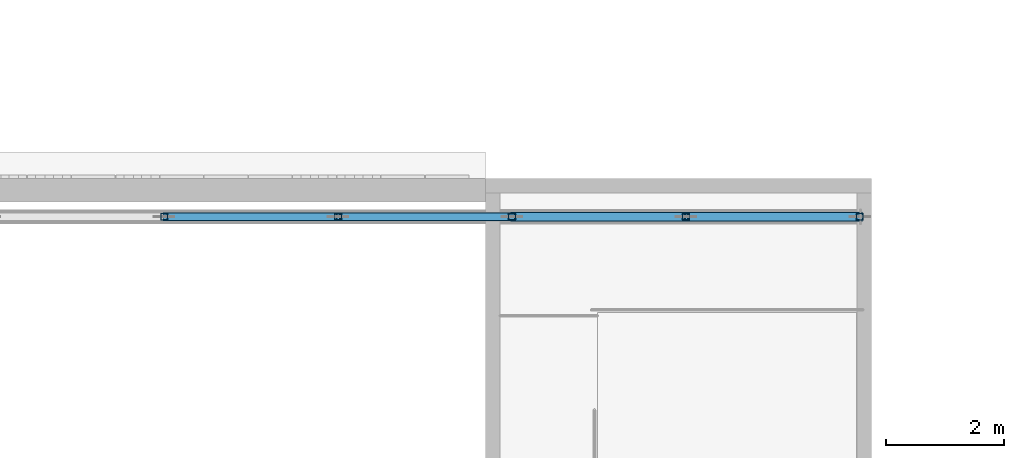
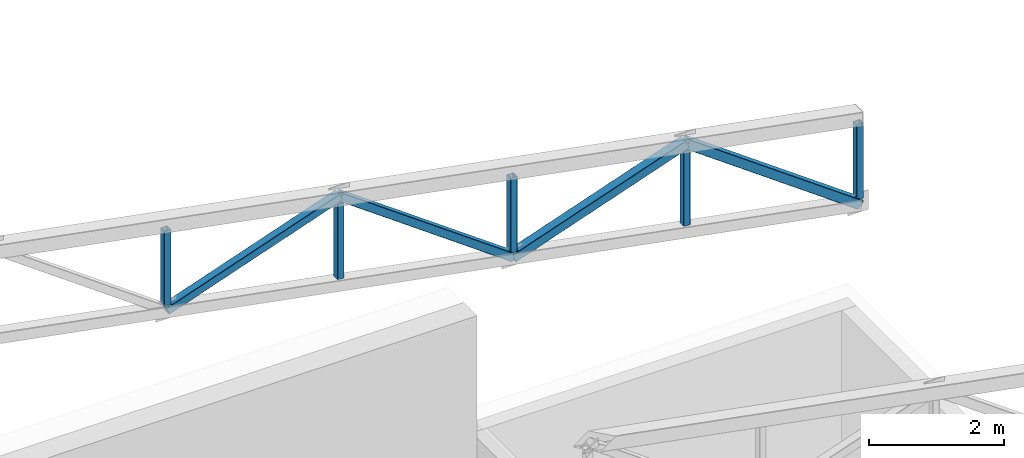
# One storey, part 47 of 125: 9 members.
"""IFC4 building model written with IfcOpenShell, lengths in metres."""

from ifc_helpers import new_model, si_unit, direction, frame, origin, origin_2d, place, context, subcontext, project, spatial, hollow_rectangle, extrude, material, material_profile, profile_set, type_object, element, save


model = new_model("IFC4")

# Units and contexts
model_context = context("Model", 3, precision=1e-05, world=origin(), true_north=direction((0.0, 1.0)))
body_context = subcontext(model_context, "Body", "Model", "MODEL_VIEW")
ifc_project = project(units=[si_unit("LENGTHUNIT", "METRE"), si_unit("AREAUNIT", "SQUARE_METRE"), si_unit("VOLUMEUNIT", "CUBIC_METRE"), si_unit("PLANEANGLEUNIT", "RADIAN"), si_unit("MASSUNIT", "GRAM", prefix="KILO")], contexts=[model_context])

# Site, building, storey
site_placement = place(None, origin())
site = spatial("IfcSite", under=ifc_project, at=site_placement, CompositionType="ELEMENT")
building_placement = place(site_placement, origin())
building = spatial("IfcBuilding", under=site, at=building_placement, Name="Sun Court Science Centre", CompositionType="ELEMENT")
storey_placement = place(building_placement, frame((0.0, 0.0, 6.0)))
storey = spatial("IfcBuildingStorey", under=building, at=storey_placement, Name="L01", CompositionType="ELEMENT", Elevation=6.0)

# Members
ifc_material_1 = material(Name="Steel S355", Category="steel")
ifc_material_profile_1 = material_profile(ifc_material_1, hollow_rectangle(XDim=0.139892578125, YDim=0.139892578125, WallThickness=0.008056640625, InnerFilletRadius=0.008056640625, OuterFilletRadius=0.011962890625, at=origin_2d()), Name="SHS 140x140x8")
ifc_profile_set_1 = profile_set([ifc_material_profile_1], Name="Steel S355")
member_type_1 = type_object("IfcMemberType", Name="Truss diagonal SHS 140x140x8", PredefinedType="BRACE", material=ifc_profile_set_1)
member_1_placement = place(storey_placement, frame((12.0, 71.35009765625, 7.1298828125), z_axis=(0.944903296783, 0.0, 0.327349598637), x_axis=(0.0, 1.0, 0.0)))
element("IfcMember", 1, at=member_1_placement, inside=storey, type_object=member_type_1, Name="Roof truss 4 diagonal 5", PredefinedType="BRACE", context=body_context, shape_type="SweptSolid", body=[
    extrude(hollow_rectangle(XDim=0.139892578125, YDim=0.139892578125, WallThickness=0.008056640625, InnerFilletRadius=0.008056640625, OuterFilletRadius=0.011962890625, at=origin_2d()), origin(), (0.0, 0.0, 1.0), 3.1220703125),
])
member_2_placement = place(storey_placement, frame((14.949951171875, 71.35009765625, 8.15185546875), z_axis=(0.810985300315, 0.0, -0.585066528416), x_axis=(0.0, 1.0, 0.0)))
element("IfcMember", 2, at=member_2_placement, inside=storey, type_object=member_type_1, Name="Roof truss 4 diagonal 6", PredefinedType="BRACE", context=body_context, shape_type="SweptSolid", body=[
    extrude(hollow_rectangle(XDim=0.139892578125, YDim=0.139892578125, WallThickness=0.008056640625, InnerFilletRadius=0.008056640625, OuterFilletRadius=0.011962890625, at=origin_2d()), origin(), (0.0, 0.0, 1.0), 3.637451171875),
])
ifc_material_2 = material(Name="Steel S355", Category="steel")
ifc_material_profile_2 = material_profile(ifc_material_2, hollow_rectangle(XDim=0.159912109375, YDim=0.159912109375, WallThickness=0.008056640625, InnerFilletRadius=0.008056640625, OuterFilletRadius=0.011962890625, at=origin_2d()), Name="SHS 160x160x8")
ifc_profile_set_2 = profile_set([ifc_material_profile_2], Name="Steel S355")
member_type_2 = type_object("IfcMemberType", Name="Truss diagonal SHS 160x160x8", PredefinedType="BRACE", material=ifc_profile_set_2)
member_3_placement = place(storey_placement, frame((17.89990234375, 71.35009765625, 6.023681640625), z_axis=(0.944911675704, 0.0, 0.32732541166), x_axis=(0.0, 1.0, 0.0)))
element("IfcMember", 3, at=member_3_placement, inside=storey, type_object=member_type_2, Name="Roof truss 4 diagonal 7", PredefinedType="BRACE", context=body_context, shape_type="SweptSolid", body=[
    extrude(hollow_rectangle(XDim=0.159912109375, YDim=0.159912109375, WallThickness=0.008056640625, InnerFilletRadius=0.008056640625, OuterFilletRadius=0.011962890625, at=origin_2d()), origin(), (0.0, 0.0, 1.0), 3.1220703125),
])
member_4_placement = place(storey_placement, frame((20.85009765625, 71.35009765625, 7.045654296875), z_axis=(0.810985300315, 0.0, -0.585066528416), x_axis=(0.0, 1.0, 0.0)))
element("IfcMember", 4, at=member_4_placement, inside=storey, type_object=member_type_2, Name="Roof truss 4 diagonal 8", PredefinedType="BRACE", context=body_context, shape_type="SweptSolid", body=[
    extrude(hollow_rectangle(XDim=0.159912109375, YDim=0.159912109375, WallThickness=0.008056640625, InnerFilletRadius=0.008056640625, OuterFilletRadius=0.011962890625, at=origin_2d()), origin(), (0.0, 0.0, 1.0), 3.637451171875),
])
ifc_material_3 = material(Name="Steel S355", Category="steel")
ifc_material_profile_3 = material_profile(ifc_material_3, hollow_rectangle(XDim=0.1201171875, YDim=0.1201171875, WallThickness=0.008056640625, InnerFilletRadius=0.008056640625, OuterFilletRadius=0.011962890625, at=origin_2d()), Name="SHS 120x120x8")
ifc_profile_set_3 = profile_set([ifc_material_profile_3], Name="Steel S355")
member_type_3 = type_object("IfcMemberType", Name="Truss post SHS 120x120x8", PredefinedType="POST", material=ifc_profile_set_3)
for number, where, z_axis, x_axis, name in (
    (5, (12.0, 71.35009765625, 7.22998046875), (0.0, 0.0, 1.0), (1.0, 0.0, 0.0), "Roof truss 4 post 5"),
    (6, (14.949951171875, 71.35009765625, 6.6767578125), (0.0, 0.0, 1.0), (1.0, 0.0, 0.0), "Roof truss 4 post 6"),
):
    element("IfcMember", number, at=place(storey_placement, frame(where, z_axis=z_axis, x_axis=x_axis)), inside=storey, type_object=member_type_3, Name=name, PredefinedType="POST", context=body_context, shape_type="SweptSolid", body=[
        extrude(hollow_rectangle(XDim=0.1201171875, YDim=0.1201171875, WallThickness=0.008056640625, InnerFilletRadius=0.008056640625, OuterFilletRadius=0.011962890625, at=origin_2d()), origin(), (0.0, 0.0, 1.0), 1.35009765625),
    ])
member_5_placement = place(storey_placement, frame((17.89990234375, 71.35009765625, 6.123779296875), z_axis=(0.0, 0.0, 1.0), x_axis=(1.0, 0.0, 0.0)))
element("IfcMember", 7, at=member_5_placement, inside=storey, type_object=member_type_3, Name="Roof truss 4 post 7", PredefinedType="POST", context=body_context, shape_type="SweptSolid", body=[
    extrude(hollow_rectangle(XDim=0.1201171875, YDim=0.1201171875, WallThickness=0.008056640625, InnerFilletRadius=0.008056640625, OuterFilletRadius=0.011962890625, at=origin_2d()), origin(), (0.0, 0.0, 1.0), 1.349853515625),
])
member_6_placement = place(storey_placement, frame((20.85009765625, 71.35009765625, 5.570556640625), z_axis=(0.0, 0.0, 1.0), x_axis=(1.0, 0.0, 0.0)))
element("IfcMember", 8, at=member_6_placement, inside=storey, type_object=member_type_3, Name="Roof truss 4 post 8", PredefinedType="POST", context=body_context, shape_type="SweptSolid", body=[
    extrude(hollow_rectangle(XDim=0.1201171875, YDim=0.1201171875, WallThickness=0.008056640625, InnerFilletRadius=0.008056640625, OuterFilletRadius=0.011962890625, at=origin_2d()), origin(), (0.0, 0.0, 1.0), 1.35009765625),
])
member_7_placement = place(storey_placement, frame((23.800048828125, 71.35009765625, 5.017578125), z_axis=(0.0, 0.0, 1.0), x_axis=(1.0, 0.0, 0.0)))
element("IfcMember", 9, at=member_7_placement, inside=storey, type_object=member_type_3, Name="Roof truss 4 post 9", PredefinedType="POST", context=body_context, shape_type="SweptSolid", body=[
    extrude(hollow_rectangle(XDim=0.1201171875, YDim=0.1201171875, WallThickness=0.008056640625, InnerFilletRadius=0.008056640625, OuterFilletRadius=0.011962890625, at=origin_2d()), origin(), (0.0, 0.0, 1.0), 1.349853515625),
])

save(model, "model.ifc")
